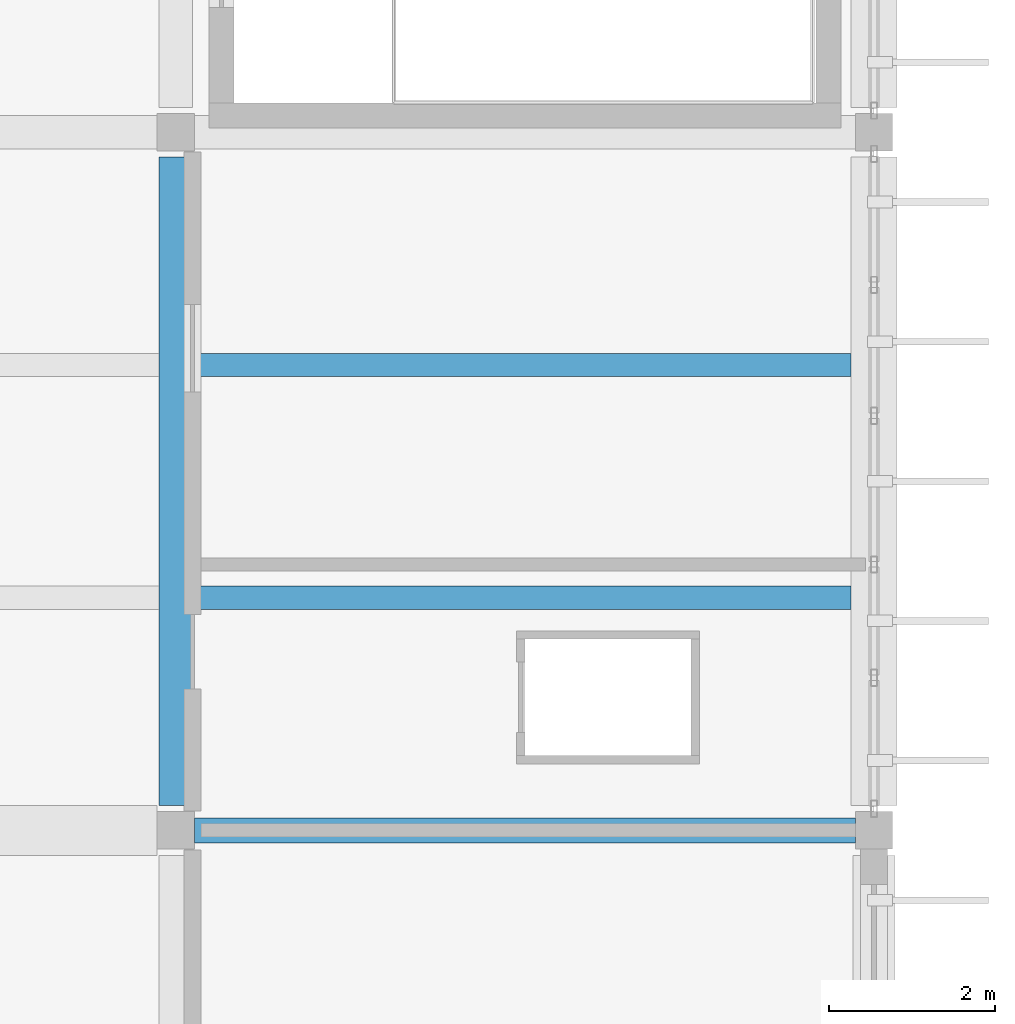
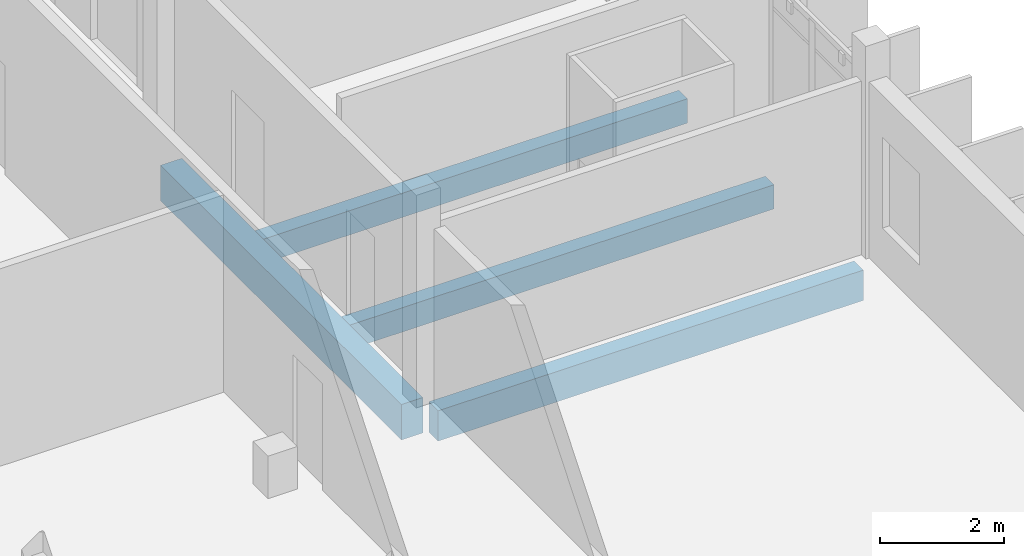
# One storey, part 23 of 62: 4 beams.
"""IFC4 building model written with IfcOpenShell, lengths in metres."""

from ifc_helpers import new_model, si_unit, direction, frame, origin, origin_2d, place, context, subcontext, project, spatial, rectangle, extrude, material, material_profile, profile_set, type_object, element, save


model = new_model("IFC4")

# Units and contexts
model_context = context("Model", 3, precision=1e-05, world=origin(), true_north=direction((0.0, 1.0)))
body_context = subcontext(model_context, "Body", "Model", "MODEL_VIEW")
ifc_project = project(units=[si_unit("LENGTHUNIT", "METRE"), si_unit("AREAUNIT", "SQUARE_METRE"), si_unit("VOLUMEUNIT", "CUBIC_METRE"), si_unit("PLANEANGLEUNIT", "RADIAN"), si_unit("MASSUNIT", "GRAM", prefix="KILO")], contexts=[model_context])

# Site, building, storey
site_placement = place(None, origin())
site = spatial("IfcSite", under=ifc_project, at=site_placement, CompositionType="ELEMENT")
building_placement = place(site_placement, origin())
building = spatial("IfcBuilding", under=site, at=building_placement, Name="Vireocrest Preparatory School", CompositionType="ELEMENT")
storey_placement = place(building_placement, frame((0.0, 0.0, 17.39990234375)))
storey = spatial("IfcBuildingStorey", under=building, at=storey_placement, Name="L04", CompositionType="ELEMENT", Elevation=17.39990234375)

# Beams
ifc_material = material(Name="Concrete 40 MPa", Category="concrete")
ifc_material_profile_1 = material_profile(ifc_material, rectangle(XDim=0.300048828125, YDim=0.60009765625, at=origin_2d()), Name="RC 300x600")
ifc_profile_set_1 = profile_set([ifc_material_profile_1], Name="Concrete 40 MPa")
beam_type_1 = type_object("IfcBeamType", Name="RC Classroom Beam 300x600", PredefinedType="BEAM", material=ifc_profile_set_1)
beam_1_placement = place(storey_placement, frame((101.02490234375, 69.0, -0.559814453125), z_axis=(1.0, 0.0, 0.0), x_axis=(0.0, 1.0, 0.0)))
element("IfcBeam", 1, at=beam_1_placement, inside=storey, type_object=beam_type_1, Name="Primary Girder B03 L04-1315", PredefinedType="BEAM", context=body_context, shape_type="SweptSolid", body=[
    extrude(rectangle(XDim=0.300048828125, YDim=0.60009765625, at=origin_2d()), origin(), (0.0, 0.0, 1.0), 7.9501953125),
])
ifc_material_profile_2 = material_profile(ifc_material, rectangle(XDim=0.39990234375, YDim=0.699951171875, at=origin_2d()), Name="RC 400x700")
ifc_profile_set_2 = profile_set([ifc_material_profile_2], Name="Concrete 40 MPa")
beam_type_2 = type_object("IfcBeamType", Name="RC Corridor Girder 400x700", PredefinedType="BEAM", material=ifc_profile_set_2)
beam_2_placement = place(storey_placement, frame((100.800048828125, 69.300048828125, -0.60986328125), z_axis=(0.0, 1.0, 0.0), x_axis=(-1.0, 0.0, 0.0)))
element("IfcBeam", 2, at=beam_2_placement, inside=storey, type_object=beam_type_2, Name="Primary Girder B08 L04-1405", PredefinedType="BEAM", context=body_context, shape_type="SweptSolid", body=[
    extrude(rectangle(XDim=0.39990234375, YDim=0.699951171875, at=origin_2d()), origin(), (0.0, 0.0, 1.0), 7.800048828125),
])
ifc_material_profile_3 = material_profile(ifc_material, rectangle(XDim=0.280029296875, YDim=0.47998046875, at=origin_2d()), Name="RC 280x480")
ifc_profile_set_3 = profile_set([ifc_material_profile_3], Name="Concrete 40 MPa")
beam_type_3 = type_object("IfcBeamType", Name="RC Secondary Lab Joist 280x480", PredefinedType="JOIST", material=ifc_profile_set_3)
for number, where, z_axis, x_axis, name in (
    (3, (101.0, 71.800048828125, -0.5), (1.0, 0.0, 0.0), (0.0, 1.0, 0.0), "Secondary Joist J02 L04-1505"),
    (4, (101.0, 74.60009765625, -0.5), (1.0, 0.0, 0.0), (0.0, 1.0, 0.0), "Secondary Joist J02 L04-1506"),
):
    element("IfcBeam", number, at=place(storey_placement, frame(where, z_axis=z_axis, x_axis=x_axis)), inside=storey, type_object=beam_type_3, Name=name, PredefinedType="JOIST", context=body_context, shape_type="SweptSolid", body=[
        extrude(rectangle(XDim=0.280029296875, YDim=0.47998046875, at=origin_2d()), origin(), (0.0, 0.0, 1.0), 7.925048828125),
    ])

save(model, "model.ifc")
